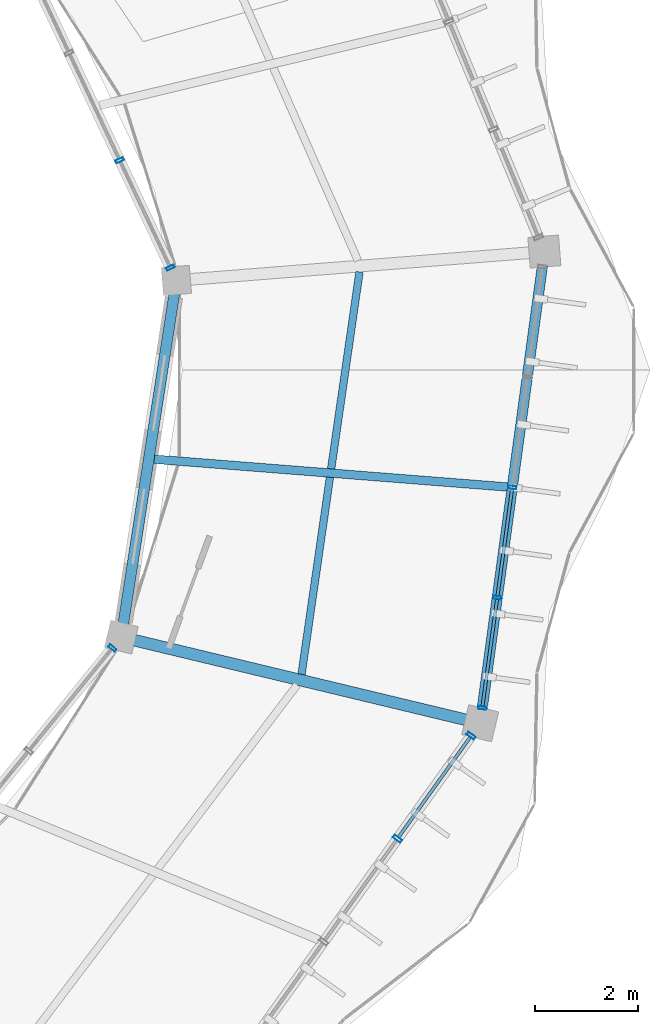
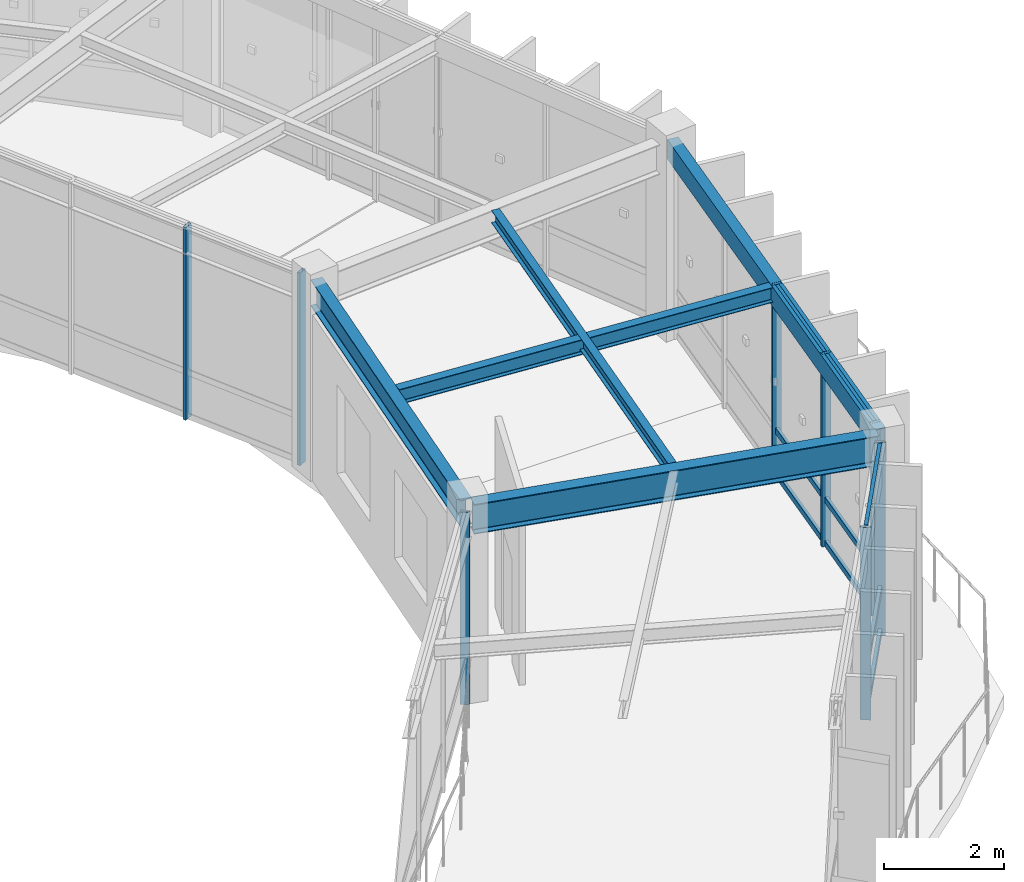
# One storey, part 56 of 83: 17 members, 5 beams, 4 elements without a shape of their own.
"""IFC4 building model written with IfcOpenShell, lengths in metres."""

from ifc_helpers import new_model, si_unit, direction, frame, origin, origin_2d, place, context, subcontext, project, spatial, hollow_rectangle, i_section, extrude, material, material_profile, profile_set, type_object, element, aggregate, save


model = new_model("IFC4")

# Units and contexts
model_context = context("Model", 3, precision=1e-05, world=origin(), true_north=direction((0.0, 1.0)))
body_context = subcontext(model_context, "Body", "Model", "MODEL_VIEW")
ifc_project = project(units=[si_unit("LENGTHUNIT", "METRE"), si_unit("AREAUNIT", "SQUARE_METRE"), si_unit("VOLUMEUNIT", "CUBIC_METRE"), si_unit("PLANEANGLEUNIT", "RADIAN"), si_unit("MASSUNIT", "GRAM", prefix="KILO"), si_unit("THERMODYNAMICTEMPERATUREUNIT", "KELVIN"), si_unit("POWERUNIT", "WATT")], contexts=[model_context])

# Site, building, storey
site_placement = place(None, origin())
site = spatial("IfcSite", under=ifc_project, at=site_placement, CompositionType="ELEMENT")
building_placement = place(site_placement, origin())
building = spatial("IfcBuilding", under=site, at=building_placement, Name="Darbajah Civic Hall", CompositionType="ELEMENT")
storey_placement = place(building_placement, frame((0.0, 0.0, 18.0)))
storey = spatial("IfcBuildingStorey", under=building, at=storey_placement, Name="L04", CompositionType="ELEMENT", Elevation=18.0)

# Curtain wall, members
ifc_material_1 = material(Name="Anodised Bronze Aluminium and Low-E Glazing", Category="aluminium")
curtain_wall_type_1 = type_object("IfcCurtainWallType", Name="Unitised Curtain Wall CW-55 6900x3900", PredefinedType="USERDEFINED", material=ifc_material_1)
curtain_wall_1_placement = place(storey_placement, origin())
curtain_wall_1 = element("IfcCurtainWall", 1, at=curtain_wall_1_placement, inside=storey, type_object=curtain_wall_type_1, Name="L04 unitised curtain wall CW-V1I-L04-00", ObjectType="UNITISED CURTAIN WALL", PredefinedType="USERDEFINED")
ifc_material_2 = material(Name="Anodised Bronze Aluminium", Category="aluminium")
ifc_material_profile_1 = material_profile(ifc_material_2, hollow_rectangle(XDim=0.06005859375, YDim=0.159912109375, WallThickness=0.00341796875, at=origin_2d()), Name="ALU MULLION 60x160")
ifc_profile_set_1 = profile_set([ifc_material_profile_1], Name="Anodised Bronze Aluminium")
member_type_1 = type_object("IfcMemberType", Name="ALU MULLION 60x160", PredefinedType="MULLION", material=ifc_profile_set_1)
member_1_placement = place(storey_placement, frame((132.64697265625, 91.800048828125, 0.0), z_axis=(0.0, 0.0, 1.0), x_axis=(-0.426568739901, 0.904455145454, 0.0)))
member_1 = element("IfcMember", 2, at=member_1_placement, type_object=member_type_1, Name="CW-V1I-L04-00 mullion 1", PredefinedType="MULLION", context=body_context, shape_type="SweptSolid", body=[
    extrude(hollow_rectangle(XDim=0.06005859375, YDim=0.159912109375, WallThickness=0.00341796875, at=origin_2d()), origin(), (0.0, 0.0, 1.0), 3.919921875),
])
member_2_placement = place(storey_placement, frame((131.6591796875, 93.89453125, 0.0), z_axis=(0.0, 0.0, 1.0), x_axis=(-0.426568739901, 0.904455145454, 0.0)))
member_2 = element("IfcMember", 3, at=member_2_placement, type_object=member_type_1, Name="CW-V1I-L04-00 mullion 2", PredefinedType="MULLION", context=body_context, shape_type="SweptSolid", body=[
    extrude(hollow_rectangle(XDim=0.06005859375, YDim=0.159912109375, WallThickness=0.00341796875, at=origin_2d()), origin(), (0.0, 0.0, 1.0), 3.919921875),
])
aggregate(curtain_wall_1, [member_1, member_2])

# Curtain wall, member
curtain_wall_type_2 = type_object("IfcCurtainWallType", Name="Unitised Curtain Wall CW-75 7800x3900", PredefinedType="USERDEFINED", material=ifc_material_1)
curtain_wall_2_placement = place(storey_placement, origin())
curtain_wall_2 = element("IfcCurtainWall", 4, at=curtain_wall_2_placement, inside=storey, type_object=curtain_wall_type_2, Name="L04 unitised curtain wall CW-V1I-L04-18", ObjectType="UNITISED CURTAIN WALL", PredefinedType="USERDEFINED")
member_3_placement = place(storey_placement, frame((131.514892578125, 84.37939453125, 0.0), z_axis=(0.0, 0.0, 1.0), x_axis=(0.63108205791, 0.775716079622, 0.0)))
member_3 = element("IfcMember", 5, at=member_3_placement, type_object=member_type_1, Name="CW-V1I-L04-18 mullion 4", PredefinedType="MULLION", context=body_context, shape_type="SweptSolid", body=[
    extrude(hollow_rectangle(XDim=0.06005859375, YDim=0.159912109375, WallThickness=0.00341796875, at=origin_2d()), origin(), (0.0, 0.0, 1.0), 3.919921875),
])
aggregate(curtain_wall_2, [member_3])

# Curtain wall, members
curtain_wall_type_3 = type_object("IfcCurtainWallType", Name="Unitised Curtain Wall CW-76 8700x3900", PredefinedType="USERDEFINED", material=ifc_material_1)
curtain_wall_3_placement = place(storey_placement, origin())
curtain_wall_3 = element("IfcCurtainWall", 6, at=curtain_wall_3_placement, inside=storey, type_object=curtain_wall_type_3, Name="L04 unitised curtain wall CW-V1O-L04-19", ObjectType="UNITISED CURTAIN WALL", PredefinedType="USERDEFINED")
member_4_placement = place(storey_placement, frame((138.731689453125, 83.212646484375, 0.0), z_axis=(0.0, 0.0, 1.0), x_axis=(0.134850930274, 0.990865897387, 0.0)))
member_4 = element("IfcMember", 7, at=member_4_placement, type_object=member_type_1, Name="CW-V1O-L04-19 mullion 1", PredefinedType="MULLION", context=body_context, shape_type="SweptSolid", body=[
    extrude(hollow_rectangle(XDim=0.06005859375, YDim=0.159912109375, WallThickness=0.00341796875, at=origin_2d()), origin(), (0.0, 0.0, 1.0), 3.919921875),
])
member_5_placement = place(storey_placement, frame((139.024169921875, 85.36328125, 0.0), z_axis=(0.0, 0.0, 1.0), x_axis=(0.134850930274, 0.990865897387, 0.0)))
member_5 = element("IfcMember", 8, at=member_5_placement, type_object=member_type_1, Name="CW-V1O-L04-19 mullion 2", PredefinedType="MULLION", context=body_context, shape_type="SweptSolid", body=[
    extrude(hollow_rectangle(XDim=0.06005859375, YDim=0.159912109375, WallThickness=0.00341796875, at=origin_2d()), origin(), (0.0, 0.0, 1.0), 3.919921875),
])
member_6_placement = place(storey_placement, frame((139.31689453125, 87.513916015625, 0.0), z_axis=(0.0, 0.0, 1.0), x_axis=(0.134850930274, 0.990865897387, 0.0)))
member_6 = element("IfcMember", 9, at=member_6_placement, type_object=member_type_1, Name="CW-V1O-L04-19 mullion 3", PredefinedType="MULLION", context=body_context, shape_type="SweptSolid", body=[
    extrude(hollow_rectangle(XDim=0.06005859375, YDim=0.159912109375, WallThickness=0.00341796875, at=origin_2d()), origin(), (0.0, 0.0, 1.0), 3.919921875),
])

curtain_wall_type_4 = type_object("IfcCurtainWallType", Name="Unitised Curtain Wall CW-74 9900x3900", PredefinedType="USERDEFINED", material=ifc_material_1)
curtain_wall_4_placement = place(storey_placement, origin())
curtain_wall_4 = element("IfcCurtainWall", 10, at=curtain_wall_4_placement, inside=storey, type_object=curtain_wall_type_4, Name="L04 unitised curtain wall CW-V1O-L04-18", ObjectType="UNITISED CURTAIN WALL", PredefinedType="USERDEFINED")
ifc_material_profile_2 = material_profile(ifc_material_2, hollow_rectangle(XDim=0.06494140625, YDim=0.179931640625, WallThickness=0.00390625, at=origin_2d()), Name="ALU MULLION 65x180")
ifc_profile_set_2 = profile_set([ifc_material_profile_2], Name="Anodised Bronze Aluminium")
member_type_2 = type_object("IfcMemberType", Name="ALU MULLION 65x180", PredefinedType="MULLION", material=ifc_profile_set_2)
member_7_placement = place(storey_placement, frame((137.076416015625, 80.658935546875, 0.0), z_axis=(0.0, 0.0, 1.0), x_axis=(0.582264874145, 0.812999149039, 0.0)))
member_7 = element("IfcMember", 11, at=member_7_placement, type_object=member_type_2, Name="CW-V1O-L04-18 mullion 4", PredefinedType="MULLION", context=body_context, shape_type="SweptSolid", body=[
    extrude(hollow_rectangle(XDim=0.06494140625, YDim=0.179931640625, WallThickness=0.00390625, at=origin_2d()), origin(), (0.0, 0.0, 1.0), 3.919921875),
])
member_8_placement = place(storey_placement, frame((138.51513671875, 82.66796875, 0.0), z_axis=(0.0, 0.0, 1.0), x_axis=(0.582264874145, 0.812999149039, 0.0)))
member_8 = element("IfcMember", 12, at=member_8_placement, type_object=member_type_2, Name="CW-V1O-L04-18 mullion 5", PredefinedType="MULLION", context=body_context, shape_type="SweptSolid", body=[
    extrude(hollow_rectangle(XDim=0.06494140625, YDim=0.179931640625, WallThickness=0.00390625, at=origin_2d()), origin(), (0.0, 0.0, 1.0), 3.919921875),
])

# Member
ifc_material_profile_3 = material_profile(ifc_material_2, hollow_rectangle(XDim=0.06005859375, YDim=0.1201171875, WallThickness=0.003173828125, at=origin_2d()), Name="ALU TRANSOM 60x120")
ifc_profile_set_3 = profile_set([ifc_material_profile_3], Name="Anodised Bronze Aluminium")
member_type_3 = type_object("IfcMemberType", Name="ALU TRANSOM 60x120", PredefinedType="USERDEFINED", material=ifc_profile_set_3)
member_9_placement = place(storey_placement, frame((138.736328125, 83.247314453125, 0.06005859375), z_axis=(0.134827926365, 0.99086902781, 0.0), x_axis=(-0.99086902781, 0.134827926365, 0.0)))
member_9 = element("IfcMember", 13, at=member_9_placement, type_object=member_type_3, Name="CW-V1O-L04-19 transom 1.1", ObjectType="TRANSOM", PredefinedType="USERDEFINED", context=body_context, shape_type="SweptSolid", body=[
    extrude(hollow_rectangle(XDim=0.06005859375, YDim=0.1201171875, WallThickness=0.003173828125, at=origin_2d()), origin(), (0.0, 0.0, 1.0), 2.1005859375),
])

member_10_placement = place(storey_placement, frame((138.736328125, 83.247314453125, 0.949951171875), z_axis=(0.134827926365, 0.99086902781, 0.0), x_axis=(-0.99086902781, 0.134827926365, 0.0)))
member_10 = element("IfcMember", 14, at=member_10_placement, type_object=member_type_3, Name="CW-V1O-L04-19 transom 1.2", ObjectType="TRANSOM", PredefinedType="USERDEFINED", context=body_context, shape_type="SweptSolid", body=[
    extrude(hollow_rectangle(XDim=0.06005859375, YDim=0.1201171875, WallThickness=0.003173828125, at=origin_2d()), origin(), (0.0, 0.0, 1.0), 2.1005859375),
])

member_11_placement = place(storey_placement, frame((138.736328125, 83.247314453125, 3.860107421875), z_axis=(0.134827926365, 0.99086902781, 0.0), x_axis=(-0.99086902781, 0.134827926365, 0.0)))
member_11 = element("IfcMember", 15, at=member_11_placement, type_object=member_type_3, Name="CW-V1O-L04-19 transom 1.3", ObjectType="TRANSOM", PredefinedType="USERDEFINED", context=body_context, shape_type="SweptSolid", body=[
    extrude(hollow_rectangle(XDim=0.06005859375, YDim=0.1201171875, WallThickness=0.003173828125, at=origin_2d()), origin(), (0.0, 0.0, 1.0), 2.1005859375),
])

member_12_placement = place(storey_placement, frame((139.02880859375, 85.39794921875, 0.06005859375), z_axis=(0.134827926365, 0.99086902781, 0.0), x_axis=(-0.99086902781, 0.134827926365, 0.0)))
member_12 = element("IfcMember", 16, at=member_12_placement, type_object=member_type_3, Name="CW-V1O-L04-19 transom 2.1", ObjectType="TRANSOM", PredefinedType="USERDEFINED", context=body_context, shape_type="SweptSolid", body=[
    extrude(hollow_rectangle(XDim=0.06005859375, YDim=0.1201171875, WallThickness=0.003173828125, at=origin_2d()), origin(), (0.0, 0.0, 1.0), 2.1005859375),
])

member_13_placement = place(storey_placement, frame((139.02880859375, 85.39794921875, 0.949951171875), z_axis=(0.134827926365, 0.99086902781, 0.0), x_axis=(-0.99086902781, 0.134827926365, 0.0)))
member_13 = element("IfcMember", 17, at=member_13_placement, type_object=member_type_3, Name="CW-V1O-L04-19 transom 2.2", ObjectType="TRANSOM", PredefinedType="USERDEFINED", context=body_context, shape_type="SweptSolid", body=[
    extrude(hollow_rectangle(XDim=0.06005859375, YDim=0.1201171875, WallThickness=0.003173828125, at=origin_2d()), origin(), (0.0, 0.0, 1.0), 2.1005859375),
])

member_14_placement = place(storey_placement, frame((139.02880859375, 85.39794921875, 3.860107421875), z_axis=(0.134827926365, 0.99086902781, 0.0), x_axis=(-0.99086902781, 0.134827926365, 0.0)))
member_14 = element("IfcMember", 18, at=member_14_placement, type_object=member_type_3, Name="CW-V1O-L04-19 transom 2.3", ObjectType="TRANSOM", PredefinedType="USERDEFINED", context=body_context, shape_type="SweptSolid", body=[
    extrude(hollow_rectangle(XDim=0.06005859375, YDim=0.1201171875, WallThickness=0.003173828125, at=origin_2d()), origin(), (0.0, 0.0, 1.0), 2.1005859375),
])

aggregate(curtain_wall_3, [member_4, member_5, member_6, member_9, member_10, member_11, member_12, member_13, member_14])

ifc_material_profile_4 = material_profile(ifc_material_2, hollow_rectangle(XDim=0.06494140625, YDim=0.139892578125, WallThickness=0.00341796875, at=origin_2d()), Name="ALU TRANSOM 65x140")
ifc_profile_set_4 = profile_set([ifc_material_profile_4], Name="Anodised Bronze Aluminium")
member_type_4 = type_object("IfcMemberType", Name="ALU TRANSOM 65x140", PredefinedType="USERDEFINED", material=ifc_profile_set_4)
member_15_placement = place(storey_placement, frame((137.098388671875, 80.689453125, 0.070068359375), z_axis=(0.582230553202, 0.813023728386, 0.0), x_axis=(-0.813023728386, 0.582230553202, 0.0)))
member_15 = element("IfcMember", 19, at=member_15_placement, type_object=member_type_4, Name="CW-V1O-L04-18 transom 4.1", ObjectType="TRANSOM", PredefinedType="USERDEFINED", context=body_context, shape_type="SweptSolid", body=[
    extrude(hollow_rectangle(XDim=0.06494140625, YDim=0.139892578125, WallThickness=0.00341796875, at=origin_2d()), origin(), (0.0, 0.0, 1.0), 2.39599609375),
])

member_16_placement = place(storey_placement, frame((137.098388671875, 80.689453125, 0.949951171875), z_axis=(0.582230553202, 0.813023728386, 0.0), x_axis=(-0.813023728386, 0.582230553202, 0.0)))
member_16 = element("IfcMember", 20, at=member_16_placement, type_object=member_type_4, Name="CW-V1O-L04-18 transom 4.2", ObjectType="TRANSOM", PredefinedType="USERDEFINED", context=body_context, shape_type="SweptSolid", body=[
    extrude(hollow_rectangle(XDim=0.06494140625, YDim=0.139892578125, WallThickness=0.00341796875, at=origin_2d()), origin(), (0.0, 0.0, 1.0), 2.39599609375),
])

member_17_placement = place(storey_placement, frame((137.098388671875, 80.689453125, 3.85009765625), z_axis=(0.582230553202, 0.813023728386, 0.0), x_axis=(-0.813023728386, 0.582230553202, 0.0)))
member_17 = element("IfcMember", 21, at=member_17_placement, type_object=member_type_4, Name="CW-V1O-L04-18 transom 4.3", ObjectType="TRANSOM", PredefinedType="USERDEFINED", context=body_context, shape_type="SweptSolid", body=[
    extrude(hollow_rectangle(XDim=0.06494140625, YDim=0.139892578125, WallThickness=0.00341796875, at=origin_2d()), origin(), (0.0, 0.0, 1.0), 2.39599609375),
])

aggregate(curtain_wall_4, [member_7, member_8, member_15, member_16, member_17])

# Beams
ifc_material_3 = material(Name="Steel S355JR", Category="steel")
ifc_material_profile_5 = material_profile(ifc_material_3, hollow_rectangle(XDim=0.199951171875, YDim=0.39990234375, WallThickness=0.013916015625, at=origin_2d()), Name="RHS 400x200x14")
ifc_profile_set_5 = profile_set([ifc_material_profile_5], Name="Steel S355JR")
beam_type_1 = type_object("IfcBeamType", Name="RHS 400x200x14", PredefinedType="SPANDREL", material=ifc_profile_set_5)
beam_1_placement = place(storey_placement, frame((138.70166015625, 82.99267578125, 3.719970703125), z_axis=(0.134807575565, 0.990871796738, 0.0), x_axis=(-0.990871796738, 0.134807575565, 0.0)))
element("IfcBeam", 22, at=beam_1_placement, inside=storey, type_object=beam_type_1, Name="L04 beam SP-RHS400", PredefinedType="SPANDREL", context=body_context, shape_type="SweptSolid", body=[
    extrude(hollow_rectangle(XDim=0.199951171875, YDim=0.39990234375, WallThickness=0.013916015625, at=origin_2d()), origin(), (0.0, 0.0, 1.0), 9.125732421875),
])
ifc_material_profile_6 = material_profile(ifc_material_3, i_section(OverallWidth=0.146484375, OverallDepth=0.256103515625, WebThickness=0.00634765625, FlangeThickness=0.010986328125, FilletRadius=0.007568359375, at=origin_2d()), Name="UB 254x146x37")
ifc_profile_set_6 = profile_set([ifc_material_profile_6], Name="Steel S355JR")
beam_type_2 = type_object("IfcBeamType", Name="UB 254x146x37", PredefinedType="JOIST", material=ifc_profile_set_6)
beam_2_placement = place(storey_placement, frame((135.206787109375, 83.86865234375, 3.7919921875), z_axis=(0.142580747671, 0.989783173424, 0.0), x_axis=(-0.989783173424, 0.142580747671, 0.0)))
element("IfcBeam", 23, at=beam_2_placement, inside=storey, type_object=beam_type_2, Name="L04 beam SJ-254", PredefinedType="JOIST", context=body_context, shape_type="SweptSolid", body=[
    extrude(i_section(OverallWidth=0.146484375, OverallDepth=0.256103515625, WebThickness=0.00634765625, FlangeThickness=0.010986328125, FilletRadius=0.007568359375, at=origin_2d()), origin(), (0.0, 0.0, 1.0), 7.9296875),
])
ifc_material_profile_7 = material_profile(ifc_material_3, i_section(OverallWidth=0.165771484375, OverallDepth=0.306640625, WebThickness=0.006591796875, FlangeThickness=0.01171875, FilletRadius=0.0087890625, at=origin_2d()), Name="UB 305x165x46")
ifc_profile_set_7 = profile_set([ifc_material_profile_7], Name="Steel S355JR")
beam_type_3 = type_object("IfcBeamType", Name="UB 305x165x46", PredefinedType="JOIST", material=ifc_profile_set_7)
beam_3_placement = place(storey_placement, frame((132.3330078125, 88.063720703125, 3.7666015625), z_axis=(0.996916012499, -0.078475881788, 0.0), x_axis=(0.078475881788, 0.996916012499, 0.0)))
element("IfcBeam", 24, at=beam_3_placement, inside=storey, type_object=beam_type_3, Name="L04 beam SJ-305", PredefinedType="JOIST", context=body_context, shape_type="SweptSolid", body=[
    extrude(i_section(OverallWidth=0.165771484375, OverallDepth=0.306640625, WebThickness=0.006591796875, FlangeThickness=0.01171875, FilletRadius=0.0087890625, at=origin_2d()), origin(), (0.0, 0.0, 1.0), 6.9033203125),
])
ifc_material_profile_8 = material_profile(ifc_material_3, i_section(OverallWidth=0.209228515625, OverallDepth=0.533203125, WebThickness=0.010009765625, FlangeThickness=0.015625, FilletRadius=0.0126953125, at=origin_2d()), Name="UB 533x210x92")
ifc_profile_set_8 = profile_set([ifc_material_profile_8], Name="Steel S355JR")
beam_type_4 = type_object("IfcBeamType", Name="UB 533x210x92", PredefinedType="BEAM", material=ifc_profile_set_8)
beam_4_placement = place(storey_placement, frame((131.701904296875, 84.67333984375, 3.653564453125), z_axis=(0.152777334871, 0.988260636649, 0.0), x_axis=(-0.988260636649, 0.152777334871, 0.0)))
element("IfcBeam", 25, at=beam_4_placement, inside=storey, type_object=beam_type_4, Name="L04 beam SB-533", PredefinedType="BEAM", context=body_context, shape_type="SweptSolid", body=[
    extrude(i_section(OverallWidth=0.209228515625, OverallDepth=0.533203125, WebThickness=0.010009765625, FlangeThickness=0.015625, FilletRadius=0.0126953125, at=origin_2d()), origin(), (0.0, 0.0, 1.0), 6.8779296875),
])
ifc_material_profile_9 = material_profile(ifc_material_3, i_section(OverallWidth=0.228271484375, OverallDepth=0.607666015625, WebThickness=0.010986328125, FlangeThickness=0.017333984375, FilletRadius=0.0126953125, at=origin_2d()), Name="UB 610x229x113")
ifc_profile_set_9 = profile_set([ifc_material_profile_9], Name="Steel S355JR")
beam_type_5 = type_object("IfcBeamType", Name="UB 610x229x113", PredefinedType="BEAM", material=ifc_profile_set_9)
beam_5_placement = place(storey_placement, frame((131.767578125, 84.575439453125, 3.6162109375), z_axis=(0.972374394108, -0.233426728726, 0.0), x_axis=(0.233426728726, 0.972374394108, 0.0)))
element("IfcBeam", 26, at=beam_5_placement, inside=storey, type_object=beam_type_5, Name="L04 beam SB-610", PredefinedType="BEAM", context=body_context, shape_type="SweptSolid", body=[
    extrude(i_section(OverallWidth=0.228271484375, OverallDepth=0.607666015625, WebThickness=0.010986328125, FlangeThickness=0.017333984375, FilletRadius=0.0126953125, at=origin_2d()), origin(), (0.0, 0.0, 1.0), 7.0400390625),
])

save(model, "model.ifc")
